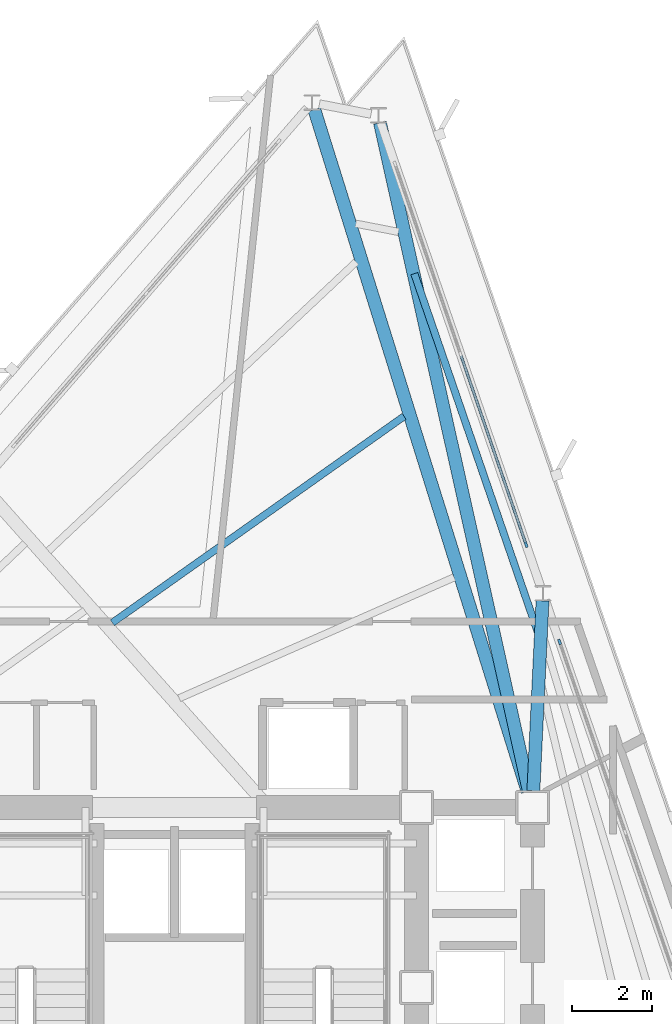
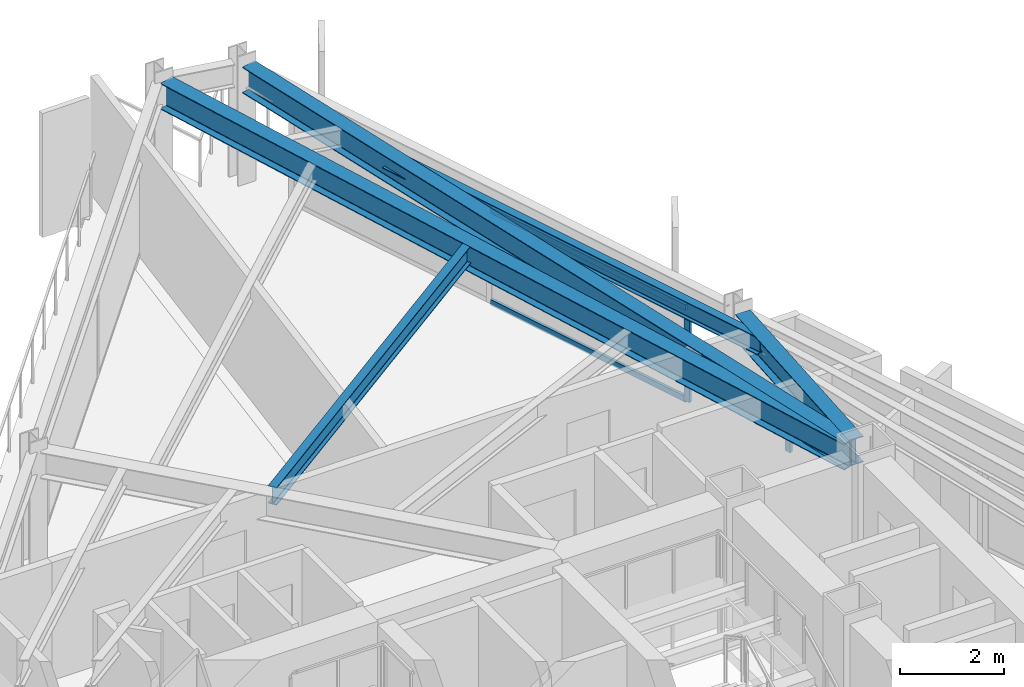
# One storey, part 5 of 13: 5 beams, 4 members, 2 elements without a shape of their own.
"""IFC4 building model written with IfcOpenShell, lengths in metres."""

from ifc_helpers import new_model, si_unit, direction, frame, origin, origin_2d, place, context, subcontext, project, spatial, rectangle, i_section, extrude, material, layer, layer_set, material_profile, profile_set, type_object, element, aggregate, save


model = new_model("IFC4")

# Units and contexts
model_context = context("Model", 3, precision=1e-05, world=origin(), true_north=direction((0.0, 1.0)))
body_context = subcontext(model_context, "Body", "Model", "MODEL_VIEW")
ifc_project = project(units=[si_unit("LENGTHUNIT", "METRE"), si_unit("AREAUNIT", "SQUARE_METRE"), si_unit("VOLUMEUNIT", "CUBIC_METRE"), si_unit("PLANEANGLEUNIT", "RADIAN"), si_unit("MASSUNIT", "GRAM", prefix="KILO")], contexts=[model_context])

# Site, building, storey
site_placement = place(None, origin())
site = spatial("IfcSite", under=ifc_project, at=site_placement, CompositionType="ELEMENT")
building_placement = place(site_placement, origin())
building = spatial("IfcBuilding", under=site, at=building_placement, Name="Rocaltana Carrier Exchange", CompositionType="ELEMENT")
storey_placement = place(building_placement, frame((0.0, 0.0, 165.43994140625)))
storey = spatial("IfcBuildingStorey", under=building, at=storey_placement, Name="L52", CompositionType="ELEMENT", Elevation=165.43994140625)

# Curtain wall, member
ifc_material_1 = material(Name="Aluminium 6063-T6", Category="aluminium")
ifc_layer = layer(ifc_material_1, 0.135009765625)
ifc_layer_set = layer_set([ifc_layer], Name="Aluminium 6063-T6")
curtain_wall_type = type_object("IfcCurtainWallType", Name="Upper-Mid Acoustic Curtain Wall CW-04", PredefinedType="NOTDEFINED", material=ifc_layer_set)
curtain_wall_1_placement = place(storey_placement, origin())
curtain_wall_1 = element("IfcCurtainWall", 1, at=curtain_wall_1_placement, inside=storey, type_object=curtain_wall_type, Name="L52 CW-04 Run CW-L52-F1S2", PredefinedType="NOTDEFINED")
ifc_material_2 = material(Name="Aluminium 6063-T6", Category="aluminium")
ifc_material_profile_1 = material_profile(ifc_material_2, rectangle(XDim=0.06494140625, YDim=0.135009765625, at=origin_2d()), Name="AL-65X135")
ifc_profile_set_1 = profile_set([ifc_material_profile_1], Name="Aluminium 6063-T6")
member_type_1 = type_object("IfcMemberType", Name="CW-04 Mullion AL-65X135", PredefinedType="MULLION", material=ifc_profile_set_1)
member_1_placement = place(storey_placement, frame((9.62548828125, 8.638671875, 0.0), z_axis=(0.0, 0.0, 1.0), x_axis=(-0.945520754562, -0.32556182622, 0.0)))
member_1 = element("IfcMember", 2, at=member_1_placement, type_object=member_type_1, Name="CW-04 mullion 3", PredefinedType="MULLION", context=body_context, shape_type="SweptSolid", body=[
    extrude(rectangle(XDim=0.06494140625, YDim=0.135009765625, at=origin_2d()), origin(), (0.0, 0.0, 1.0), 2.218017578125),
])
aggregate(curtain_wall_1, [member_1])

# Curtain wall, members
curtain_wall_2_placement = place(storey_placement, origin())
curtain_wall_2 = element("IfcCurtainWall", 3, at=curtain_wall_2_placement, inside=storey, type_object=curtain_wall_type, Name="L52 CW-04 Run CW-L52-F1S3", PredefinedType="NOTDEFINED")
member_2_placement = place(storey_placement, frame((8.79052734375, 11.063720703125, 0.0), z_axis=(0.0, 0.0, 1.0), x_axis=(-0.945521800517, -0.325558788464, 0.0)))
member_2 = element("IfcMember", 4, at=member_2_placement, type_object=member_type_1, Name="CW-04 mullion 1", PredefinedType="MULLION", context=body_context, shape_type="SweptSolid", body=[
    extrude(rectangle(XDim=0.06494140625, YDim=0.135009765625, at=origin_2d()), origin(), (0.0, 0.0, 1.0), 2.218017578125),
])
ifc_material_3 = material(Name="Aluminium 6063-T6", Category="aluminium")
ifc_material_profile_2 = material_profile(ifc_material_3, rectangle(XDim=0.06494140625, YDim=0.135009765625, at=origin_2d()), Name="AL-65X135")
ifc_profile_set_2 = profile_set([ifc_material_profile_2], Name="Aluminium 6063-T6")
member_type_2 = type_object("IfcMemberType", Name="CW-04 Transom AL-65X135", PredefinedType="USERDEFINED", material=ifc_profile_set_2)
member_3_placement = place(storey_placement, frame((8.77978515625, 11.094482421875, 0.032470703125), z_axis=(-0.325542462737, 0.945527421578, 0.0), x_axis=(-0.945527421578, -0.325542462737, 0.0)))
member_3 = element("IfcMember", 5, at=member_3_placement, type_object=member_type_2, Name="CW-04 transom 1.1", ObjectType="TRANSOM", PredefinedType="USERDEFINED", context=body_context, shape_type="SweptSolid", body=[
    extrude(rectangle(XDim=0.06494140625, YDim=0.135009765625, at=origin_2d()), origin(), (0.0, 0.0, 1.0), 4.96923828125),
])
member_4_placement = place(storey_placement, frame((8.77978515625, 11.094482421875, 2.185546875), z_axis=(-0.325542462737, 0.945527421578, 0.0), x_axis=(-0.945527421578, -0.325542462737, 0.0)))
member_4 = element("IfcMember", 6, at=member_4_placement, type_object=member_type_2, Name="CW-04 transom 1.2", ObjectType="TRANSOM", PredefinedType="USERDEFINED", context=body_context, shape_type="SweptSolid", body=[
    extrude(rectangle(XDim=0.06494140625, YDim=0.135009765625, at=origin_2d()), origin(), (0.0, 0.0, 1.0), 4.96923828125),
])
aggregate(curtain_wall_2, [member_2, member_3, member_4])

# Beams
ifc_material_4 = material(Name="Steel S355", Category="steel")
ifc_material_profile_3 = material_profile(ifc_material_4, i_section(OverallWidth=0.179931640625, OverallDepth=0.4130859375, WebThickness=0.009765625, FlangeThickness=0.01611328125, FilletRadius=0.012939453125, at=origin_2d()), Name="W16X50")
ifc_profile_set_3 = profile_set([ifc_material_profile_3], Name="Steel S355")
beam_type_1 = type_object("IfcBeamType", Name="Floor Joist W16X50", PredefinedType="JOIST", material=ifc_profile_set_3)
beam_1_placement = place(storey_placement, frame((9.1005859375, 8.8212890625, 2.58154296875), z_axis=(-0.325576687482, 0.9455156374, 0.0), x_axis=(-0.9455156374, -0.325576687482, 0.0)))
element("IfcBeam", 7, at=beam_1_placement, inside=storey, type_object=beam_type_1, Name="FJ-L52-03-3", PredefinedType="JOIST", context=body_context, shape_type="SweptSolid", body=[
    extrude(i_section(OverallWidth=0.179931640625, OverallDepth=0.4130859375, WebThickness=0.009765625, FlangeThickness=0.01611328125, FilletRadius=0.012939453125, at=origin_2d()), origin(), (0.0, 0.0, 1.0), 9.5419921875),
])
beam_2_placement = place(storey_placement, frame((5.737548828125, 14.27587890625, 2.58154296875), z_axis=(-0.816285489074, -0.577648682443, 0.0), x_axis=(0.577648682443, -0.816285489074, 0.0)))
element("IfcBeam", 8, at=beam_2_placement, inside=storey, type_object=beam_type_1, Name="FJ-L52-05-2", PredefinedType="JOIST", context=body_context, shape_type="SweptSolid", body=[
    extrude(i_section(OverallWidth=0.179931640625, OverallDepth=0.4130859375, WebThickness=0.009765625, FlangeThickness=0.01611328125, FilletRadius=0.012939453125, at=origin_2d()), origin(), (0.0, 0.0, 1.0), 8.931396484375),
])
ifc_material_5 = material(Name="Steel S355", Category="steel")
ifc_material_profile_4 = material_profile(ifc_material_5, i_section(OverallWidth=0.323974609375, OverallDepth=0.611083984375, WebThickness=0.0126953125, FlangeThickness=0.01904296875, FilletRadius=0.01611328125, at=origin_2d()), Name="W24X104")
ifc_profile_set_4 = profile_set([ifc_material_profile_4], Name="Steel S355")
beam_type_2 = type_object("IfcBeamType", Name="Radial Girder W24X104", PredefinedType="BEAM", material=ifc_profile_set_4)
beam_3_placement = place(storey_placement, frame((8.97021484375, 4.91650390625, 2.482666015625), z_axis=(0.048160355741, 0.998839616823, 0.0), x_axis=(-0.998839616823, 0.048160355741, 0.0)))
element("IfcBeam", 9, at=beam_3_placement, inside=storey, type_object=beam_type_2, Name="RG-L52-03", PredefinedType="BEAM", context=body_context, shape_type="SweptSolid", body=[
    extrude(i_section(OverallWidth=0.323974609375, OverallDepth=0.611083984375, WebThickness=0.0126953125, FlangeThickness=0.01904296875, FilletRadius=0.01611328125, at=origin_2d()), origin(), (0.0, 0.0, 1.0), 4.755126953125),
])
beam_4_placement = place(storey_placement, frame((8.859375, 4.906982421875, 2.482666015625), z_axis=(-0.21753898555, 0.976051632736, 0.0), x_axis=(-0.976051632736, -0.21753898555, 0.0)))
element("IfcBeam", 10, at=beam_4_placement, inside=storey, type_object=beam_type_2, Name="RG-L52-04", PredefinedType="BEAM", context=body_context, shape_type="SweptSolid", body=[
    extrude(i_section(OverallWidth=0.323974609375, OverallDepth=0.611083984375, WebThickness=0.0126953125, FlangeThickness=0.01904296875, FilletRadius=0.01611328125, at=origin_2d()), origin(), (0.0, 0.0, 1.0), 17.1181640625),
])
beam_5_placement = place(storey_placement, frame((8.825439453125, 4.89794921875, 2.482666015625), z_axis=(-0.298436914473, 0.954429362541, 0.0), x_axis=(-0.954429362541, -0.298436914473, 0.0)))
element("IfcBeam", 11, at=beam_5_placement, inside=storey, type_object=beam_type_2, Name="RG-L52-05", PredefinedType="BEAM", context=body_context, shape_type="SweptSolid", body=[
    extrude(i_section(OverallWidth=0.323974609375, OverallDepth=0.611083984375, WebThickness=0.0126953125, FlangeThickness=0.01904296875, FilletRadius=0.01611328125, at=origin_2d()), origin(), (0.0, 0.0, 1.0), 17.856689453125),
])

save(model, "model.ifc")
